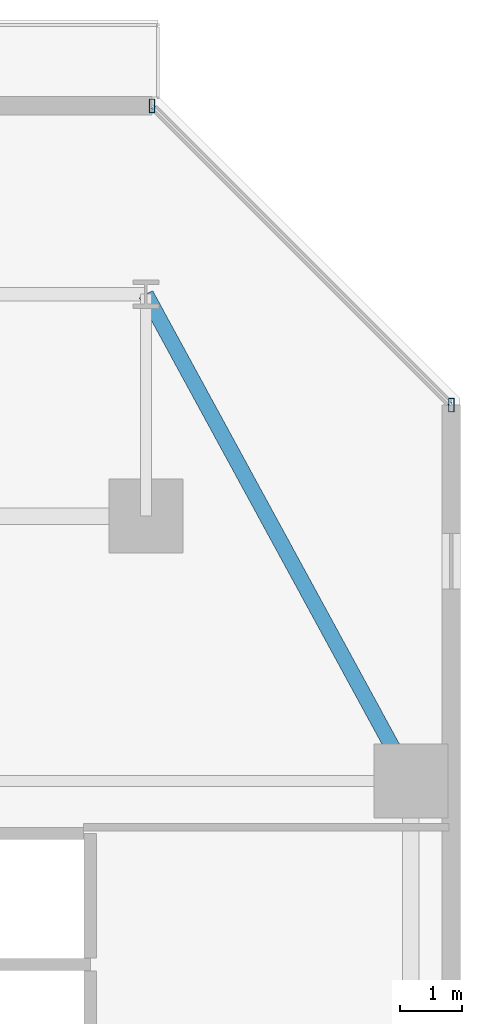
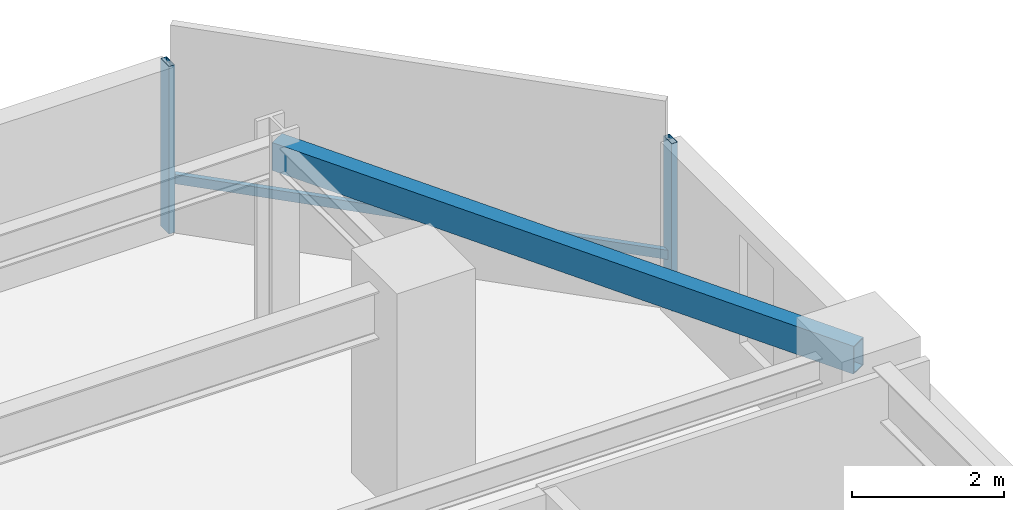
# One storey, part 14 of 31: 3 members, 1 beam, 1 element without a shape of its own.
"""IFC4 building model written with IfcOpenShell, lengths in metres."""

from ifc_helpers import new_model, si_unit, direction, frame, origin, origin_2d, place, context, subcontext, project, spatial, hollow_rectangle, extrude, material, material_profile, profile_set, type_object, element, aggregate, save


model = new_model("IFC4")

# Units and contexts
model_context = context("Model", 3, precision=1e-05, world=origin(), true_north=direction((0.0, 1.0)))
body_context = subcontext(model_context, "Body", "Model", "MODEL_VIEW")
ifc_project = project(units=[si_unit("LENGTHUNIT", "METRE"), si_unit("AREAUNIT", "SQUARE_METRE"), si_unit("VOLUMEUNIT", "CUBIC_METRE"), si_unit("PLANEANGLEUNIT", "RADIAN"), si_unit("MASSUNIT", "GRAM", prefix="KILO")], contexts=[model_context])

# Site, building, storey
site_placement = place(None, origin())
site = spatial("IfcSite", under=ifc_project, at=site_placement, CompositionType="ELEMENT")
building_placement = place(site_placement, origin())
building = spatial("IfcBuilding", under=site, at=building_placement, Name="Thornwick Lancets Civic Towers", CompositionType="ELEMENT")
storey_placement = place(building_placement, frame((0.0, 0.0, 90.89990234375)))
storey = spatial("IfcBuildingStorey", under=building, at=storey_placement, Name="L23", CompositionType="ELEMENT", Elevation=90.89990234375)

# Beam
ifc_material_1 = material(Name="Steel S355JR", Category="steel")
ifc_material_profile_1 = material_profile(ifc_material_1, hollow_rectangle(XDim=0.25, YDim=0.449951171875, WallThickness=0.01611328125, at=origin_2d()), Name="RHS 450x250x16")
ifc_profile_set_1 = profile_set([ifc_material_profile_1], Name="Steel S355JR")
beam_type = type_object("IfcBeamType", Name="BM_RING_RHS450", PredefinedType="BEAM", material=ifc_profile_set_1)
beam_placement = place(storey_placement, frame((105.800048828125, 40.0, 3.135009765625), z_axis=(-0.478081722712, 0.878315357038, 0.0), x_axis=(-0.878315357038, -0.478081722712, 0.0)))
element("IfcBeam", 1, at=beam_placement, inside=storey, type_object=beam_type, Name="BM-CHAMF-L23-B-C0", PredefinedType="BEAM", context=body_context, shape_type="SweptSolid", body=[
    extrude(hollow_rectangle(XDim=0.25, YDim=0.449951171875, WallThickness=0.01611328125, at=origin_2d()), origin(), (0.0, 0.0, 1.0), 8.994384765625),
])

# Curtain wall, members
ifc_material_2 = material(Name="Low-zone chamfered-corner unitised glass curtain wall", Category="glass")
curtain_wall_type = type_object("IfcCurtainWallType", Name="CW_SYS_03", PredefinedType="NOTDEFINED", material=ifc_material_2)
curtain_wall_placement = place(storey_placement, origin())
curtain_wall = element("IfcCurtainWall", 2, at=curtain_wall_placement, inside=storey, type_object=curtain_wall_type, Name="L23 Curtain Wall CW-L23-B-E3", PredefinedType="NOTDEFINED")
ifc_material_3 = material(Name="Thermally broken bronze aluminium S355", Category="steel")
ifc_material_profile_2 = material_profile(ifc_material_3, hollow_rectangle(XDim=0.090087890625, YDim=0.219970703125, WallThickness=0.00634765625, at=origin_2d()), Name="RHS 220x90x6.3")
ifc_profile_set_2 = profile_set([ifc_material_profile_2], Name="Thermally broken bronze aluminium S355")
member_type_1 = type_object("IfcMemberType", Name="CW_MUL_220", PredefinedType="MULLION", material=ifc_profile_set_2)
member_1_placement = place(storey_placement, frame((106.457275390625, 46.099365234375, 0.0), z_axis=(0.0, 0.0, 1.0), x_axis=(1.0, 0.0, 0.0)))
member_1 = element("IfcMember", 3, at=member_1_placement, type_object=member_type_1, Name="CW-L23-B-E3 Mullion 0", PredefinedType="MULLION", context=body_context, shape_type="SweptSolid", body=[
    extrude(hollow_rectangle(XDim=0.090087890625, YDim=0.219970703125, WallThickness=0.00634765625, at=origin_2d()), origin(), (0.0, 0.0, 1.0), 2.7001953125),
])
member_2_placement = place(storey_placement, frame((101.599365234375, 50.957275390625, 0.0), z_axis=(0.0, 0.0, 1.0), x_axis=(1.0, 0.0, 0.0)))
member_2 = element("IfcMember", 4, at=member_2_placement, type_object=member_type_1, Name="CW-L23-B-E3 Mullion 1", PredefinedType="MULLION", context=body_context, shape_type="SweptSolid", body=[
    extrude(hollow_rectangle(XDim=0.090087890625, YDim=0.219970703125, WallThickness=0.00634765625, at=origin_2d()), origin(), (0.0, 0.0, 1.0), 2.7001953125),
])
ifc_material_profile_3 = material_profile(ifc_material_3, hollow_rectangle(XDim=0.074951171875, YDim=0.14990234375, WallThickness=0.0048828125, at=origin_2d()), Name="RHS 150x75x5")
ifc_profile_set_3 = profile_set([ifc_material_profile_3], Name="Thermally broken bronze aluminium S355")
member_type_2 = type_object("IfcMemberType", Name="CW_TRN_150", PredefinedType="USERDEFINED", material=ifc_profile_set_3)
member_3_placement = place(storey_placement, frame((106.443115234375, 46.11328125, 0.85009765625), z_axis=(-0.707106781187, 0.707106781187, 0.0), x_axis=(-0.707106781187, -0.707106781187, 0.0)))
member_3 = element("IfcMember", 5, at=member_3_placement, type_object=member_type_2, Name="CW-L23-B-E3 Transom 0", ObjectType="TRANSOM", PredefinedType="USERDEFINED", context=body_context, shape_type="SweptSolid", body=[
    extrude(hollow_rectangle(XDim=0.074951171875, YDim=0.14990234375, WallThickness=0.0048828125, at=origin_2d()), origin(), (0.0, 0.0, 1.0), 6.830322265625),
])
aggregate(curtain_wall, [member_1, member_2, member_3])

save(model, "model.ifc")
